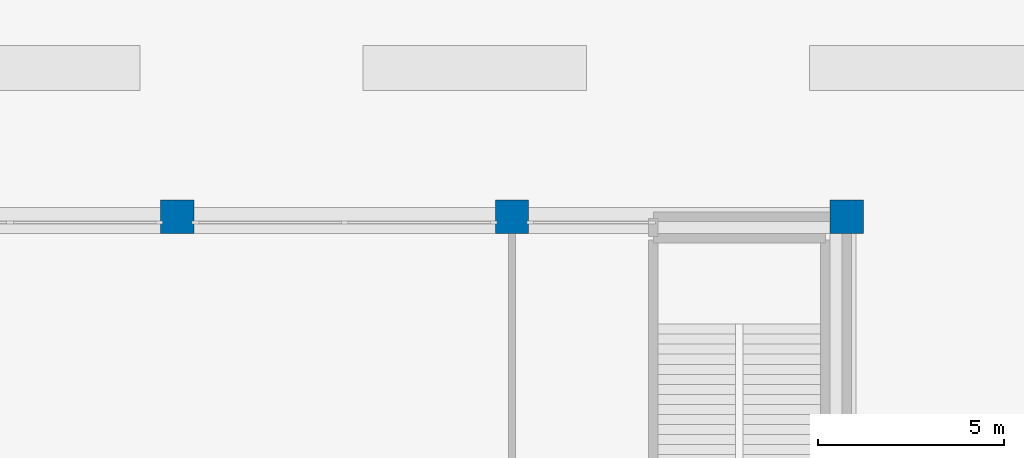
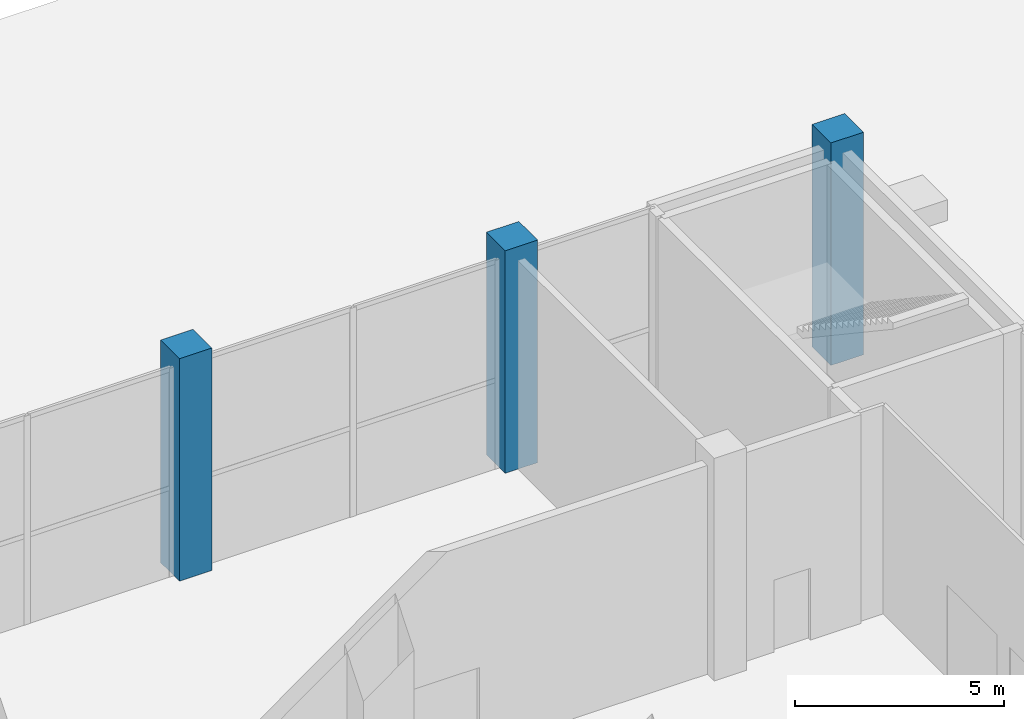
# One storey, part 19 of 39: 3 columns.
"""IFC4 building model written with IfcOpenShell, lengths in metres."""

from ifc_helpers import new_model, si_unit, direction, frame, origin, origin_2d, place, context, subcontext, project, spatial, rectangle, extrude, material, material_profile, profile_set, type_object, element, save


model = new_model("IFC4")

# Units and contexts
model_context = context("Model", 3, precision=1e-05, world=origin(), true_north=direction((0.0, 1.0)))
body_context = subcontext(model_context, "Body", "Model", "MODEL_VIEW")
ifc_project = project(units=[si_unit("LENGTHUNIT", "METRE"), si_unit("AREAUNIT", "SQUARE_METRE"), si_unit("VOLUMEUNIT", "CUBIC_METRE"), si_unit("PLANEANGLEUNIT", "RADIAN"), si_unit("MASSUNIT", "GRAM", prefix="KILO")], contexts=[model_context])

# Site, building, storey
site_placement = place(None, origin())
site = spatial("IfcSite", under=ifc_project, at=site_placement, CompositionType="ELEMENT")
building_placement = place(site_placement, origin())
building = spatial("IfcBuilding", under=site, at=building_placement, Name="Brigalow Station Residences", CompositionType="ELEMENT")
storey_placement = place(building_placement, origin())
storey = spatial("IfcBuildingStorey", under=building, at=storey_placement, Name="L00", CompositionType="ELEMENT", Elevation=0.0)

# Columns
ifc_material = material(Name="Concrete C50", Category="concrete")
ifc_material_profile = material_profile(ifc_material, rectangle(XDim=0.89990234375, YDim=0.89990234375, at=origin_2d()), Name="RC900x900")
ifc_profile_set = profile_set([ifc_material_profile], Name="Concrete C50")
column_type = type_object("IfcColumnType", Name="COLUMN 900x900 C50", PredefinedType="COLUMN", material=ifc_profile_set)
for number, where, z_axis, x_axis, name in (
    (1, (72.0, 58.5, 0.0), (0.0, 0.0, 1.0), (1.0, 0.0, 0.0), "COLUMN F8 L00"),
    (2, (81.0, 58.5, 0.0), (0.0, 0.0, 1.0), (1.0, 0.0, 0.0), "COLUMN F9 L00"),
    (3, (90.0, 58.5, 0.0), (0.0, 0.0, 1.0), (1.0, 0.0, 0.0), "COLUMN F10 L00"),
):
    element("IfcColumn", number, at=place(storey_placement, frame(where, z_axis=z_axis, x_axis=x_axis)), inside=storey, type_object=column_type, Name=name, PredefinedType="COLUMN", context=body_context, shape_type="SweptSolid", body=[
        extrude(rectangle(XDim=0.89990234375, YDim=0.89990234375, at=origin_2d()), origin(), (0.0, 0.0, 1.0), 6.5),
    ])

save(model, "model.ifc")
